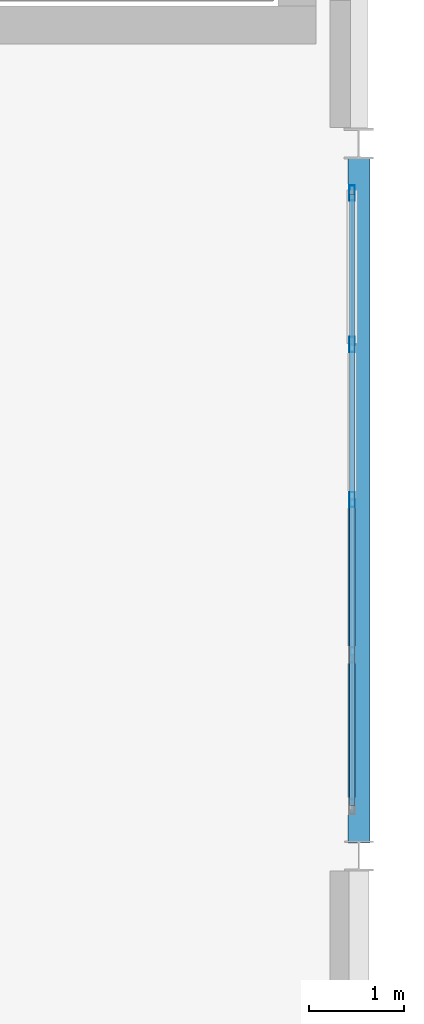
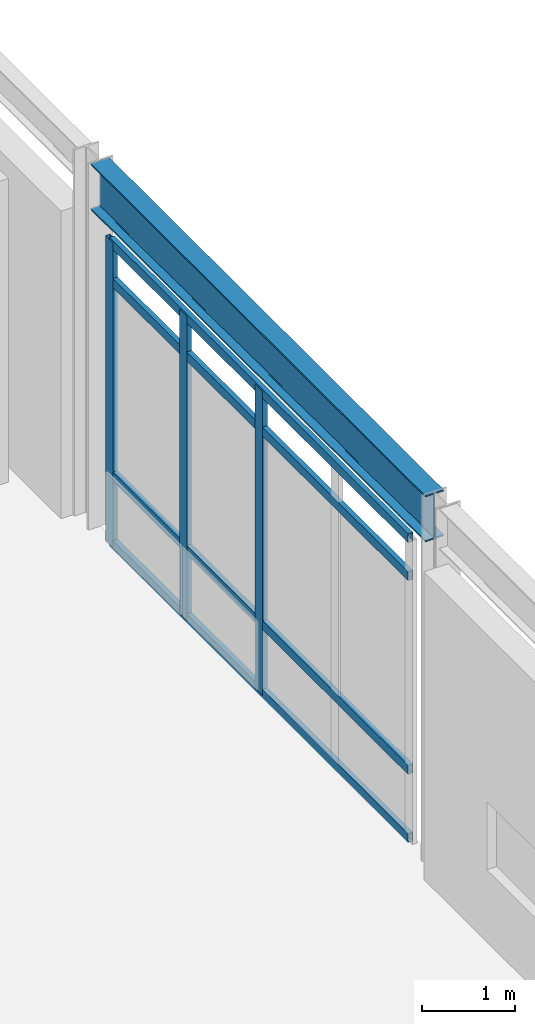
# One storey, part 30 of 56: 7 members, 1 beam, 1 element without a shape of its own.
"""IFC4 building model written with IfcOpenShell, lengths in metres."""

from ifc_helpers import new_model, si_unit, direction, frame, origin, origin_2d, place, context, subcontext, project, spatial, hollow_rectangle, i_section, extrude, material, material_profile, profile_set, type_object, element, aggregate, save


model = new_model("IFC4")

# Units and contexts
model_context = context("Model", 3, precision=1e-05, world=origin(), true_north=direction((0.0, 1.0)))
body_context = subcontext(model_context, "Body", "Model", "MODEL_VIEW")
ifc_project = project(units=[si_unit("LENGTHUNIT", "METRE"), si_unit("AREAUNIT", "SQUARE_METRE"), si_unit("VOLUMEUNIT", "CUBIC_METRE"), si_unit("PLANEANGLEUNIT", "RADIAN"), si_unit("MASSUNIT", "GRAM", prefix="KILO"), si_unit("THERMODYNAMICTEMPERATUREUNIT", "KELVIN"), si_unit("POWERUNIT", "WATT")], contexts=[model_context])

# Site, building, storey
site_placement = place(None, origin())
site = spatial("IfcSite", under=ifc_project, at=site_placement, CompositionType="ELEMENT")
building_placement = place(site_placement, origin())
building = spatial("IfcBuilding", under=site, at=building_placement, Name="Tepalcoro Natatorium and Aquatics Centre", CompositionType="ELEMENT")
storey_placement = place(building_placement, frame((0.0, 0.0, 14.800048828125)))
storey = spatial("IfcBuildingStorey", under=building, at=storey_placement, Name="L03", CompositionType="ELEMENT", Elevation=14.800048828125)

# Curtain wall, members
ifc_material_1 = material(Name="Bronze-Anodised Extruded Aluminium Alloy EN AW-6063 T6", Category="aluminium")
curtain_wall_type = type_object("IfcCurtainWallType", Name="CW_V3_FOYER", PredefinedType="USERDEFINED", material=ifc_material_1)
curtain_wall_placement = place(storey_placement, origin())
curtain_wall = element("IfcCurtainWall", 1, at=curtain_wall_placement, inside=storey, type_object=curtain_wall_type, Name="V2 L03 E Unitised Curtain Wall Bay 6", ObjectType="UNITISED STOREFRONT", PredefinedType="USERDEFINED")
ifc_material_profile_1 = material_profile(ifc_material_1, hollow_rectangle(XDim=0.06005859375, YDim=0.159912109375, WallThickness=0.00390625, at=origin_2d()), Name="AL60X160X4")
ifc_profile_set_1 = profile_set([ifc_material_profile_1], Name="Bronze-Anodised Extruded Aluminium Alloy EN AW-6063 T6")
member_type_1 = type_object("IfcMemberType", Name="CW_MUL_60x160", PredefinedType="MULLION", material=ifc_profile_set_1)
member_1_placement = place(storey_placement, frame((175.9287109375, 47.75, 0.02001953125), z_axis=(0.0, 0.0, 1.0), x_axis=(1.0, 0.0, 0.0)))
member_1 = element("IfcMember", 2, at=member_1_placement, type_object=member_type_1, Name="CW_V3_FOYER Curtain Wall Mullion", PredefinedType="MULLION", context=body_context, shape_type="SweptSolid", body=[
    extrude(hollow_rectangle(XDim=0.06005859375, YDim=0.159912109375, WallThickness=0.00390625, at=origin_2d()), origin(), (0.0, 0.0, 1.0), 4.010009765625),
])
member_2_placement = place(storey_placement, frame((175.9287109375, 49.385009765625, 0.02001953125), z_axis=(0.0, 0.0, 1.0), x_axis=(1.0, 0.0, 0.0)))
member_2 = element("IfcMember", 3, at=member_2_placement, type_object=member_type_1, Name="CW_V3_FOYER Curtain Wall Mullion", PredefinedType="MULLION", context=body_context, shape_type="SweptSolid", body=[
    extrude(hollow_rectangle(XDim=0.06005859375, YDim=0.159912109375, WallThickness=0.00390625, at=origin_2d()), origin(), (0.0, 0.0, 1.0), 4.010009765625),
])
member_3_placement = place(storey_placement, frame((175.9287109375, 50.97998046875, 0.02001953125), z_axis=(0.0, 0.0, 1.0), x_axis=(1.0, 0.0, 0.0)))
member_3 = element("IfcMember", 4, at=member_3_placement, type_object=member_type_1, Name="CW_V3_FOYER Curtain Wall Mullion", PredefinedType="MULLION", context=body_context, shape_type="SweptSolid", body=[
    extrude(hollow_rectangle(XDim=0.06005859375, YDim=0.159912109375, WallThickness=0.00390625, at=origin_2d()), origin(), (0.0, 0.0, 1.0), 4.010009765625),
])
ifc_material_profile_2 = material_profile(ifc_material_1, hollow_rectangle(XDim=0.06005859375, YDim=0.1201171875, WallThickness=0.00390625, at=origin_2d()), Name="AL60X120X4")
ifc_profile_set_2 = profile_set([ifc_material_profile_2], Name="Bronze-Anodised Extruded Aluminium Alloy EN AW-6063 T6")
member_type_2 = type_object("IfcMemberType", Name="CW_TRN_60x120", PredefinedType="USERDEFINED", material=ifc_profile_set_2)
member_4_placement = place(storey_placement, frame((175.9287109375, 44.530029296875, 0.050048828125), z_axis=(0.0, 1.0, 0.0), x_axis=(-1.0, 0.0, 0.0)))
member_4 = element("IfcMember", 5, at=member_4_placement, type_object=member_type_2, Name="CW_V3_FOYER Curtain Wall Transom", ObjectType="TRANSOM", PredefinedType="USERDEFINED", context=body_context, shape_type="SweptSolid", body=[
    extrude(hollow_rectangle(XDim=0.06005859375, YDim=0.1201171875, WallThickness=0.00390625, at=origin_2d()), origin(), (0.0, 0.0, 1.0), 6.43994140625),
])
member_5_placement = place(storey_placement, frame((175.9287109375, 44.530029296875, 0.949951171875), z_axis=(0.0, 1.0, 0.0), x_axis=(-1.0, 0.0, 0.0)))
member_5 = element("IfcMember", 6, at=member_5_placement, type_object=member_type_2, Name="CW_V3_FOYER Curtain Wall Transom", ObjectType="TRANSOM", PredefinedType="USERDEFINED", context=body_context, shape_type="SweptSolid", body=[
    extrude(hollow_rectangle(XDim=0.06005859375, YDim=0.1201171875, WallThickness=0.00390625, at=origin_2d()), origin(), (0.0, 0.0, 1.0), 6.43994140625),
])
member_6_placement = place(storey_placement, frame((175.9287109375, 44.530029296875, 3.5), z_axis=(0.0, 1.0, 0.0), x_axis=(-1.0, 0.0, 0.0)))
member_6 = element("IfcMember", 7, at=member_6_placement, type_object=member_type_2, Name="CW_V3_FOYER Curtain Wall Transom", ObjectType="TRANSOM", PredefinedType="USERDEFINED", context=body_context, shape_type="SweptSolid", body=[
    extrude(hollow_rectangle(XDim=0.06005859375, YDim=0.1201171875, WallThickness=0.00390625, at=origin_2d()), origin(), (0.0, 0.0, 1.0), 6.43994140625),
])
member_7_placement = place(storey_placement, frame((175.9287109375, 44.530029296875, 4.0), z_axis=(0.0, 1.0, 0.0), x_axis=(-1.0, 0.0, 0.0)))
member_7 = element("IfcMember", 8, at=member_7_placement, type_object=member_type_2, Name="CW_V3_FOYER Curtain Wall Transom", ObjectType="TRANSOM", PredefinedType="USERDEFINED", context=body_context, shape_type="SweptSolid", body=[
    extrude(hollow_rectangle(XDim=0.06005859375, YDim=0.1201171875, WallThickness=0.00390625, at=origin_2d()), origin(), (0.0, 0.0, 1.0), 6.43994140625),
])
aggregate(curtain_wall, [member_1, member_2, member_3, member_4, member_5, member_6, member_7])

# Beam
ifc_material_2 = material(Name="Steel ASTM A992 Grade 50 (Fy 345 MPa)", Category="steel")
ifc_material_profile_3 = material_profile(ifc_material_2, i_section(OverallWidth=0.22900390625, OverallDepth=0.612060546875, WebThickness=0.011962890625, FlangeThickness=0.02001953125, FilletRadius=0.013916015625, at=origin_2d()), Name="W24X84")
ifc_profile_set_3 = profile_set([ifc_material_profile_3], Name="Steel ASTM A992 Grade 50 (Fy 345 MPa)")
beam_type = type_object("IfcBeamType", Name="SP_W24x84", PredefinedType="SPANDREL", material=ifc_profile_set_3)
beam_placement = place(storey_placement, frame((176.0, 44.136474609375, 4.4990234375), z_axis=(0.0, 1.0, 0.0), x_axis=(-1.0, 0.0, 0.0)))
element("IfcBeam", 9, at=beam_placement, inside=storey, type_object=beam_type, Name="V2 L03 Grid Girder Y", PredefinedType="SPANDREL", context=body_context, shape_type="SweptSolid", body=[
    extrude(i_section(OverallWidth=0.22900390625, OverallDepth=0.612060546875, WebThickness=0.011962890625, FlangeThickness=0.02001953125, FilletRadius=0.013916015625, at=origin_2d()), origin(), (0.0, 0.0, 1.0), 7.220458984375),
])

save(model, "model.ifc")
